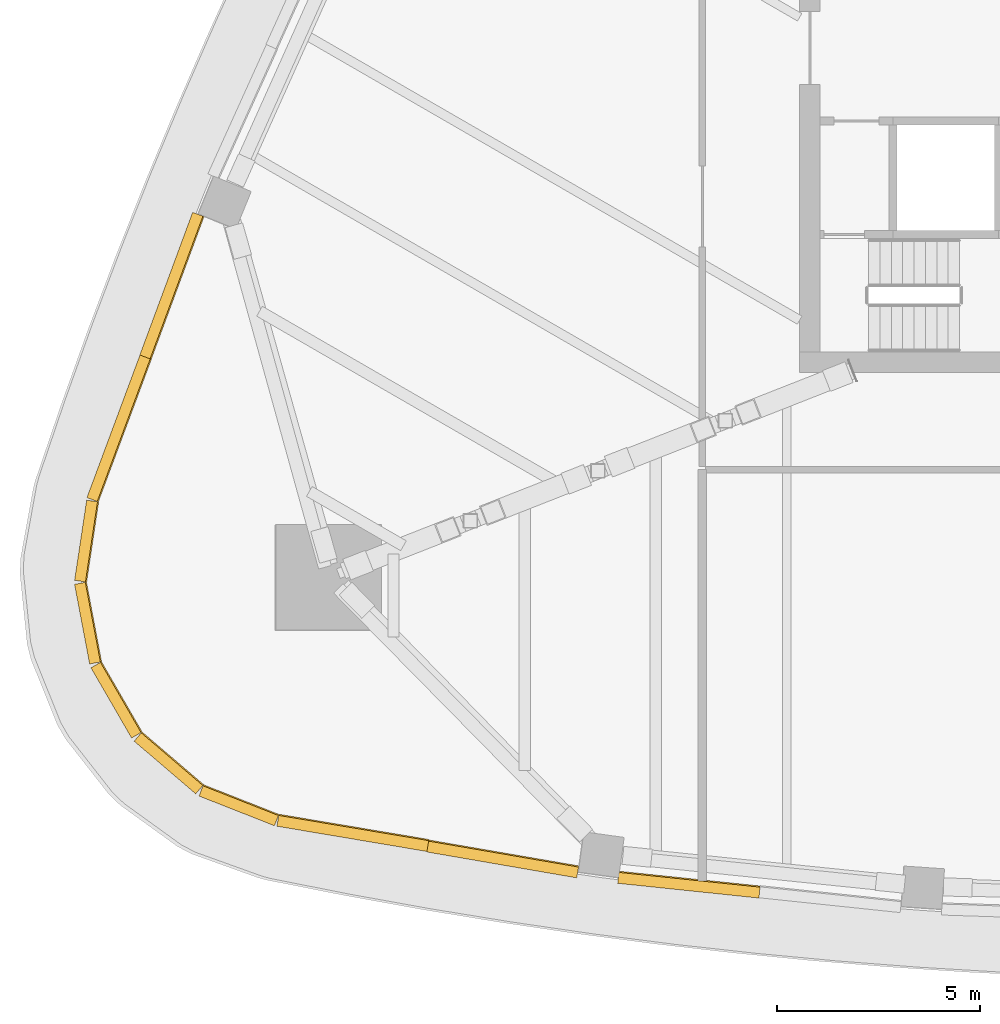
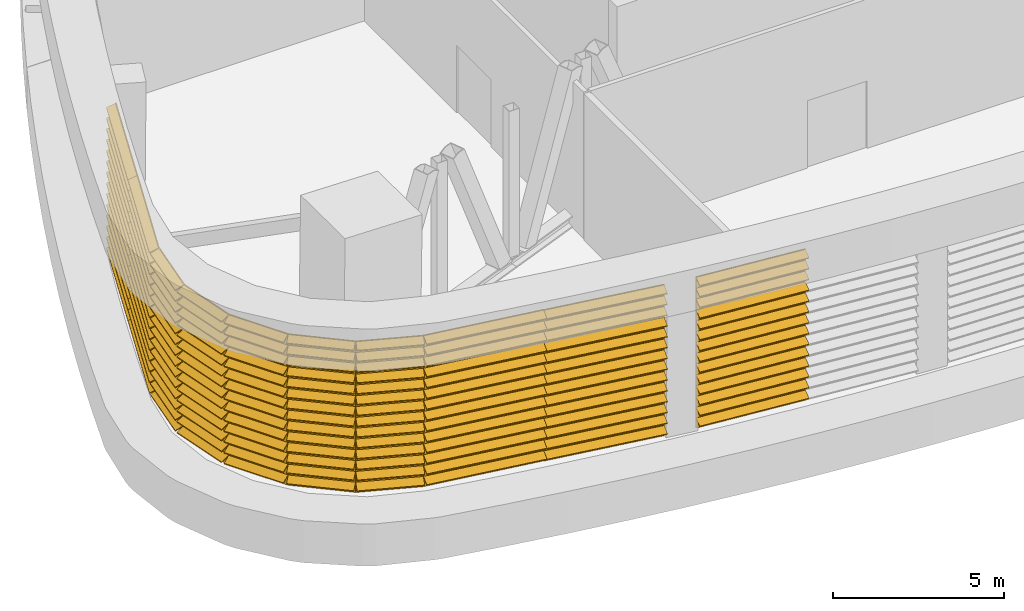
# One storey, part 11 of 18: 10 shading devices.
"""IFC4 building model written with IfcOpenShell, lengths in metres."""

from ifc_helpers import new_model, si_unit, direction, frame, origin, place, context, subcontext, project, spatial, polyline, outline, extrude, material, type_object, element, save


model = new_model("IFC4")

# Units and contexts
model_context = context("Model", 3, precision=1e-05, world=origin(), true_north=direction((0.0, 1.0)))
body_context = subcontext(model_context, "Body", "Model", "MODEL_VIEW")
ifc_project = project(units=[si_unit("LENGTHUNIT", "METRE"), si_unit("AREAUNIT", "SQUARE_METRE"), si_unit("VOLUMEUNIT", "CUBIC_METRE"), si_unit("PLANEANGLEUNIT", "RADIAN"), si_unit("MASSUNIT", "GRAM", prefix="KILO")], contexts=[model_context])

# Site, building, storey
site_placement = place(None, origin())
site = spatial("IfcSite", under=ifc_project, at=site_placement, CompositionType="ELEMENT")
building_placement = place(site_placement, origin())
building = spatial("IfcBuilding", under=site, at=building_placement, Name="Sierra Prisma Convention Tower", CompositionType="ELEMENT")
storey_placement = place(building_placement, frame((0.0, 0.0, 213.800048828125)))
storey = spatial("IfcBuildingStorey", under=building, at=storey_placement, Name="L48", CompositionType="ELEMENT", Elevation=213.800048828125)

# Shading devices
ifc_material = material(Name="Aluminium 6063-T6 bronze anodised", Category="aluminium")
shading_device_type = type_object("IfcShadingDeviceType", Name="Louvre bay bronze", PredefinedType="USERDEFINED", material=ifc_material)
shading_device_1_placement = place(storey_placement, frame((-23.8330078125, -18.890625, 0.0), z_axis=(-0.986139434355, 0.165918703017, 0.0), x_axis=(0.0, 0.0, 1.0)))
element("IfcShadingDevice", 1, at=shading_device_1_placement, inside=storey, type_object=shading_device_type, Name="Louvre L48 S1.1", ObjectType="LOUVRE", PredefinedType="USERDEFINED", context=body_context, shape_type="SweptSolid", body=[
    extrude(outline(polyline([(0.0, 0.0), (5.39990234375, 0.0), (5.39990234375, -0.029941710355772314), (5.3798828125, -0.029941710355772314), (5.260009765625, -0.29998192022239306), (5.22998046875, -0.29998192022239306), (5.349853515625, -0.029941710355772314), (5.01416015625, -0.029941710355772314), (4.994140625, -0.029941710355772314), (4.874267578125, -0.29998192022239306), (4.84423828125, -0.29998192022239306), (4.96435546875, -0.029941710355772314), (4.62841796875, -0.029941710355772314), (4.608642578125, -0.029941710355772314), (4.488525390625, -0.29998192022239306), (4.45849609375, -0.29998192022239306), (4.57861328125, -0.029941710355772314), (4.242919921875, -0.029941710355772314), (4.222900390625, -0.029941710355772314), (4.102783203125, -0.29998192022239306), (4.07275390625, -0.29998192022239306), (4.19287109375, -0.029941710355772314), (3.857177734375, -0.029941710355772314), (3.837158203125, -0.029941710355772314), (3.717041015625, -0.29998192022239306), (3.68701171875, -0.29998192022239306), (3.80712890625, -0.029941710355772314), (3.471435546875, -0.029941710355772314), (3.451416015625, -0.029941710355772314), (3.331298828125, -0.29998192022239306), (3.30126953125, -0.29998192022239306), (3.42138671875, -0.029941710355772314), (3.085693359375, -0.029941710355772314), (3.065673828125, -0.029941710355772314), (2.945556640625, -0.29998192022239306), (2.915771484375, -0.29998192022239306), (3.03564453125, -0.029941710355772314), (2.699951171875, -0.029941710355772314), (2.679931640625, -0.029941710355772314), (2.56005859375, -0.29998192022239306), (2.530029296875, -0.29998192022239306), (2.64990234375, -0.029941710355772314), (2.314208984375, -0.029941710355772314), (2.294189453125, -0.029941710355772314), (2.17431640625, -0.29998192022239306), (2.144287109375, -0.29998192022239306), (2.26416015625, -0.029941710355772314), (1.928466796875, -0.029941710355772314), (1.908447265625, -0.029941710355772314), (1.78857421875, -0.29998192022239306), (1.758544921875, -0.29998192022239306), (1.87841796875, -0.029941710355772314), (1.542724609375, -0.029941710355772314), (1.522705078125, -0.029941710355772314), (1.40283203125, -0.29998192022239306), (1.372802734375, -0.29998192022239306), (1.492919921875, -0.029941710355772314), (1.156982421875, -0.029941710355772314), (1.13720703125, -0.029941710355772314), (1.01708984375, -0.29998192022239306), (0.987060546875, -0.29998192022239306), (1.107177734375, -0.029941710355772314), (0.771484375, -0.029941710355772314), (0.75146484375, -0.029941710355772314), (0.63134765625, -0.29998192022239306), (0.601318359375, -0.29998192022239306), (0.721435546875, -0.029941710355772314), (0.3857421875, -0.029941710355772314), (0.36572265625, -0.029941710355772314), (0.24560546875, -0.29998192022239306), (0.215576171875, -0.29998192022239306), (0.335693359375, -0.029941710355772314), (0.0, -0.029941710355772314), (0.0, 0.0)])), origin(), (0.0, 0.0, -1.0), 3.7490234375),
])
shading_device_2_placement = place(storey_placement, frame((-20.137939453125, -19.52490234375, 0.0), z_axis=(-0.985407546539, 0.170211536693, 0.0), x_axis=(0.0, 0.0, 1.0)))
element("IfcShadingDevice", 2, at=shading_device_2_placement, inside=storey, type_object=shading_device_type, Name="Louvre L48 S1.2", ObjectType="LOUVRE", PredefinedType="USERDEFINED", context=body_context, shape_type="SweptSolid", body=[
    extrude(outline(polyline([(0.0, 0.0), (5.39990234375, 0.0), (5.39990234375, -0.029982606299269673), (5.3798828125, -0.029982606299269673), (5.260009765625, -0.2999835299050878), (5.22998046875, -0.2999835299050878), (5.349853515625, -0.029982606299269673), (5.01416015625, -0.029982606299269673), (4.994140625, -0.029982606299269673), (4.874267578125, -0.2999835299050878), (4.84423828125, -0.2999835299050878), (4.96435546875, -0.029982606299269673), (4.62841796875, -0.029982606299269673), (4.608642578125, -0.029982606299269673), (4.488525390625, -0.2999835299050878), (4.45849609375, -0.2999835299050878), (4.57861328125, -0.029982606299269673), (4.242919921875, -0.029982606299269673), (4.222900390625, -0.029982606299269673), (4.102783203125, -0.2999835299050878), (4.07275390625, -0.2999835299050878), (4.19287109375, -0.029982606299269673), (3.857177734375, -0.029982606299269673), (3.837158203125, -0.029982606299269673), (3.717041015625, -0.2999835299050878), (3.68701171875, -0.2999835299050878), (3.80712890625, -0.029982606299269673), (3.471435546875, -0.029982606299269673), (3.451416015625, -0.029982606299269673), (3.331298828125, -0.2999835299050878), (3.30126953125, -0.2999835299050878), (3.42138671875, -0.029982606299269673), (3.085693359375, -0.029982606299269673), (3.065673828125, -0.029982606299269673), (2.945556640625, -0.2999835299050878), (2.915771484375, -0.2999835299050878), (3.03564453125, -0.029982606299269673), (2.699951171875, -0.029982606299269673), (2.679931640625, -0.029982606299269673), (2.56005859375, -0.2999835299050878), (2.530029296875, -0.2999835299050878), (2.64990234375, -0.029982606299269673), (2.314208984375, -0.029982606299269673), (2.294189453125, -0.029982606299269673), (2.17431640625, -0.2999835299050878), (2.144287109375, -0.2999835299050878), (2.26416015625, -0.029982606299269673), (1.928466796875, -0.029982606299269673), (1.908447265625, -0.029982606299269673), (1.78857421875, -0.2999835299050878), (1.758544921875, -0.2999835299050878), (1.87841796875, -0.029982606299269673), (1.542724609375, -0.029982606299269673), (1.522705078125, -0.029982606299269673), (1.40283203125, -0.2999835299050878), (1.372802734375, -0.2999835299050878), (1.492919921875, -0.029982606299269673), (1.156982421875, -0.029982606299269673), (1.13720703125, -0.029982606299269673), (1.01708984375, -0.2999835299050878), (0.987060546875, -0.2999835299050878), (1.107177734375, -0.029982606299269673), (0.771484375, -0.029982606299269673), (0.75146484375, -0.029982606299269673), (0.63134765625, -0.2999835299050878), (0.601318359375, -0.2999835299050878), (0.721435546875, -0.029982606299269673), (0.3857421875, -0.029982606299269673), (0.36572265625, -0.029982606299269673), (0.24560546875, -0.2999835299050878), (0.215576171875, -0.2999835299050878), (0.335693359375, -0.029982606299269673), (0.0, -0.029982606299269673), (0.0, 0.0)])), origin(), (0.0, 0.0, -1.0), 3.7490234375),
])
shading_device_3_placement = place(storey_placement, frame((-15.45263671875, -20.294677734375, 0.0), z_axis=(-0.994573523302, 0.104036083869, 0.0), x_axis=(0.0, 0.0, 1.0)))
element("IfcShadingDevice", 3, at=shading_device_3_placement, inside=storey, type_object=shading_device_type, Name="Louvre L48 S2.1", ObjectType="LOUVRE", PredefinedType="USERDEFINED", context=body_context, shape_type="SweptSolid", body=[
    extrude(outline(polyline([(0.0, 0.0), (5.39990234375, 0.0), (5.39990234375, -0.029953720442659124), (5.3798828125, -0.029953720442659124), (5.260009765625, -0.299895838857074), (5.22998046875, -0.299895838857074), (5.349853515625, -0.029953720442659124), (5.01416015625, -0.029953720442659124), (4.994140625, -0.029953720442659124), (4.874267578125, -0.299895838857074), (4.84423828125, -0.299895838857074), (4.96435546875, -0.029953720442659124), (4.62841796875, -0.029953720442659124), (4.608642578125, -0.029953720442659124), (4.488525390625, -0.299895838857074), (4.45849609375, -0.299895838857074), (4.57861328125, -0.029953720442659124), (4.242919921875, -0.029953720442659124), (4.222900390625, -0.029953720442659124), (4.102783203125, -0.299895838857074), (4.07275390625, -0.299895838857074), (4.19287109375, -0.029953720442659124), (3.857177734375, -0.029953720442659124), (3.837158203125, -0.029953720442659124), (3.717041015625, -0.299895838857074), (3.68701171875, -0.299895838857074), (3.80712890625, -0.029953720442659124), (3.471435546875, -0.029953720442659124), (3.451416015625, -0.029953720442659124), (3.331298828125, -0.299895838857074), (3.30126953125, -0.299895838857074), (3.42138671875, -0.029953720442659124), (3.085693359375, -0.029953720442659124), (3.065673828125, -0.029953720442659124), (2.945556640625, -0.299895838857074), (2.915771484375, -0.299895838857074), (3.03564453125, -0.029953720442659124), (2.699951171875, -0.029953720442659124), (2.679931640625, -0.029953720442659124), (2.56005859375, -0.299895838857074), (2.530029296875, -0.299895838857074), (2.64990234375, -0.029953720442659124), (2.314208984375, -0.029953720442659124), (2.294189453125, -0.029953720442659124), (2.17431640625, -0.299895838857074), (2.144287109375, -0.299895838857074), (2.26416015625, -0.029953720442659124), (1.928466796875, -0.029953720442659124), (1.908447265625, -0.029953720442659124), (1.78857421875, -0.299895838857074), (1.758544921875, -0.299895838857074), (1.87841796875, -0.029953720442659124), (1.542724609375, -0.029953720442659124), (1.522705078125, -0.029953720442659124), (1.40283203125, -0.299895838857074), (1.372802734375, -0.299895838857074), (1.492919921875, -0.029953720442659124), (1.156982421875, -0.029953720442659124), (1.13720703125, -0.029953720442659124), (1.01708984375, -0.299895838857074), (0.987060546875, -0.299895838857074), (1.107177734375, -0.029953720442659124), (0.771484375, -0.029953720442659124), (0.75146484375, -0.029953720442659124), (0.63134765625, -0.299895838857074), (0.601318359375, -0.299895838857074), (0.721435546875, -0.029953720442659124), (0.3857421875, -0.029953720442659124), (0.36572265625, -0.029953720442659124), (0.24560546875, -0.299895838857074), (0.215576171875, -0.299895838857074), (0.335693359375, -0.029953720442659124), (0.0, -0.029953720442659124), (0.0, 0.0)])), origin(), (0.0, 0.0, -1.0), 3.4990234375),
])
shading_device_4_placement = place(storey_placement, frame((-25.6796875, -4.160400390625, 0.0), z_axis=(0.347119304234, 0.937820978987, 0.0), x_axis=(0.0, 0.0, 1.0)))
element("IfcShadingDevice", 4, at=shading_device_4_placement, inside=storey, type_object=shading_device_type, Name="Louvre L48 NW6.1", ObjectType="LOUVRE", PredefinedType="USERDEFINED", context=body_context, shape_type="SweptSolid", body=[
    extrude(outline(polyline([(0.0, 0.0), (5.39990234375, 0.0), (5.39990234375, -0.030203457921033218), (5.3798828125, -0.030203457921033218), (5.260009765625, -0.30009287411515523), (5.22998046875, -0.30009287411515523), (5.349853515625, -0.030203457921033218), (5.01416015625, -0.030203457921033218), (4.994140625, -0.030203457921033218), (4.874267578125, -0.30009287411515523), (4.84423828125, -0.30009287411515523), (4.96435546875, -0.030203457921033218), (4.62841796875, -0.030203457921033218), (4.608642578125, -0.030203457921033218), (4.488525390625, -0.30009287411515523), (4.45849609375, -0.30009287411515523), (4.57861328125, -0.030203457921033218), (4.242919921875, -0.030203457921033218), (4.222900390625, -0.030203457921033218), (4.102783203125, -0.30009287411515523), (4.07275390625, -0.30009287411515523), (4.19287109375, -0.030203457921033218), (3.857177734375, -0.030203457921033218), (3.837158203125, -0.030203457921033218), (3.717041015625, -0.30009287411515523), (3.68701171875, -0.30009287411515523), (3.80712890625, -0.030203457921033218), (3.471435546875, -0.030203457921033218), (3.451416015625, -0.030203457921033218), (3.331298828125, -0.30009287411515523), (3.30126953125, -0.30009287411515523), (3.42138671875, -0.030203457921033218), (3.085693359375, -0.030203457921033218), (3.065673828125, -0.030203457921033218), (2.945556640625, -0.30009287411515523), (2.915771484375, -0.30009287411515523), (3.03564453125, -0.030203457921033218), (2.699951171875, -0.030203457921033218), (2.679931640625, -0.030203457921033218), (2.56005859375, -0.30009287411515523), (2.530029296875, -0.30009287411515523), (2.64990234375, -0.030203457921033218), (2.314208984375, -0.030203457921033218), (2.294189453125, -0.030203457921033218), (2.17431640625, -0.30009287411515523), (2.144287109375, -0.30009287411515523), (2.26416015625, -0.030203457921033218), (1.928466796875, -0.030203457921033218), (1.908447265625, -0.030203457921033218), (1.78857421875, -0.30009287411515523), (1.758544921875, -0.30009287411515523), (1.87841796875, -0.030203457921033218), (1.542724609375, -0.030203457921033218), (1.522705078125, -0.030203457921033218), (1.40283203125, -0.30009287411515523), (1.372802734375, -0.30009287411515523), (1.492919921875, -0.030203457921033218), (1.156982421875, -0.030203457921033218), (1.13720703125, -0.030203457921033218), (1.01708984375, -0.30009287411515523), (0.987060546875, -0.30009287411515523), (1.107177734375, -0.030203457921033218), (0.771484375, -0.030203457921033218), (0.75146484375, -0.030203457921033218), (0.63134765625, -0.30009287411515523), (0.601318359375, -0.30009287411515523), (0.721435546875, -0.030203457921033218), (0.3857421875, -0.030203457921033218), (0.36572265625, -0.030203457921033218), (0.24560546875, -0.30009287411515523), (0.215576171875, -0.30009287411515523), (0.335693359375, -0.030203457921033218), (0.0, -0.030203457921033218), (0.0, 0.0)])), origin(), (0.0, 0.0, -1.0), 3.7490234375),
])
shading_device_5_placement = place(storey_placement, frame((-26.97802734375, -7.677490234375, 0.0), z_axis=(0.348556423365, 0.937287799841, 0.0), x_axis=(0.0, 0.0, 1.0)))
element("IfcShadingDevice", 5, at=shading_device_5_placement, inside=storey, type_object=shading_device_type, Name="Louvre L48 NW6.2", ObjectType="LOUVRE", PredefinedType="USERDEFINED", context=body_context, shape_type="SweptSolid", body=[
    extrude(outline(polyline([(0.0, 0.0), (5.39990234375, 0.0), (5.39990234375, -0.029974615035747887), (5.3798828125, -0.029974615035747887), (5.260009765625, -0.3000922533130603), (5.22998046875, -0.3000922533130603), (5.349853515625, -0.029974615035747887), (5.01416015625, -0.029974615035747887), (4.994140625, -0.029974615035747887), (4.874267578125, -0.3000922533130603), (4.84423828125, -0.3000922533130603), (4.96435546875, -0.029974615035747887), (4.62841796875, -0.029974615035747887), (4.608642578125, -0.029974615035747887), (4.488525390625, -0.3000922533130603), (4.45849609375, -0.3000922533130603), (4.57861328125, -0.029974615035747887), (4.242919921875, -0.029974615035747887), (4.222900390625, -0.029974615035747887), (4.102783203125, -0.3000922533130603), (4.07275390625, -0.3000922533130603), (4.19287109375, -0.029974615035747887), (3.857177734375, -0.029974615035747887), (3.837158203125, -0.029974615035747887), (3.717041015625, -0.3000922533130603), (3.68701171875, -0.3000922533130603), (3.80712890625, -0.029974615035747887), (3.471435546875, -0.029974615035747887), (3.451416015625, -0.029974615035747887), (3.331298828125, -0.3000922533130603), (3.30126953125, -0.3000922533130603), (3.42138671875, -0.029974615035747887), (3.085693359375, -0.029974615035747887), (3.065673828125, -0.029974615035747887), (2.945556640625, -0.3000922533130603), (2.915771484375, -0.3000922533130603), (3.03564453125, -0.029974615035747887), (2.699951171875, -0.029974615035747887), (2.679931640625, -0.029974615035747887), (2.56005859375, -0.3000922533130603), (2.530029296875, -0.3000922533130603), (2.64990234375, -0.029974615035747887), (2.314208984375, -0.029974615035747887), (2.294189453125, -0.029974615035747887), (2.17431640625, -0.3000922533130603), (2.144287109375, -0.3000922533130603), (2.26416015625, -0.029974615035747887), (1.928466796875, -0.029974615035747887), (1.908447265625, -0.029974615035747887), (1.78857421875, -0.3000922533130603), (1.758544921875, -0.3000922533130603), (1.87841796875, -0.029974615035747887), (1.542724609375, -0.029974615035747887), (1.522705078125, -0.029974615035747887), (1.40283203125, -0.3000922533130603), (1.372802734375, -0.3000922533130603), (1.492919921875, -0.029974615035747887), (1.156982421875, -0.029974615035747887), (1.13720703125, -0.029974615035747887), (1.01708984375, -0.3000922533130603), (0.987060546875, -0.3000922533130603), (1.107177734375, -0.029974615035747887), (0.771484375, -0.029974615035747887), (0.75146484375, -0.029974615035747887), (0.63134765625, -0.3000922533130603), (0.601318359375, -0.3000922533130603), (0.721435546875, -0.029974615035747887), (0.3857421875, -0.029974615035747887), (0.36572265625, -0.029974615035747887), (0.24560546875, -0.3000922533130603), (0.215576171875, -0.3000922533130603), (0.335693359375, -0.029974615035747887), (0.0, -0.029974615035747887), (0.0, 0.0)])), origin(), (0.0, 0.0, -1.0), 3.7490234375),
])
shading_device_6_placement = place(storey_placement, frame((-28.2763671875, -11.194580078125, 0.0), z_axis=(0.148750018985, 0.988874831236, 0.0), x_axis=(0.0, 0.0, 1.0)))
element("IfcShadingDevice", 6, at=shading_device_6_placement, inside=storey, type_object=shading_device_type, Name="Louvre L48 SW1.1", ObjectType="LOUVRE", PredefinedType="USERDEFINED", context=body_context, shape_type="SweptSolid", body=[
    extrude(outline(polyline([(0.0, 0.0), (5.39990234375, 0.0), (5.39990234375, -0.029866053447578634), (5.3798828125, -0.029866053447578634), (5.260009765625, -0.29980781216618363), (5.22998046875, -0.29980781216618363), (5.349853515625, -0.029866053447578634), (5.01416015625, -0.029866053447578634), (4.994140625, -0.029866053447578634), (4.874267578125, -0.29980781216618363), (4.84423828125, -0.29980781216618363), (4.96435546875, -0.029866053447578634), (4.62841796875, -0.029866053447578634), (4.608642578125, -0.029866053447578634), (4.488525390625, -0.29980781216618363), (4.45849609375, -0.29980781216618363), (4.57861328125, -0.029866053447578634), (4.242919921875, -0.029866053447578634), (4.222900390625, -0.029866053447578634), (4.102783203125, -0.29980781216618363), (4.07275390625, -0.29980781216618363), (4.19287109375, -0.029866053447578634), (3.857177734375, -0.029866053447578634), (3.837158203125, -0.029866053447578634), (3.717041015625, -0.29980781216618363), (3.68701171875, -0.29980781216618363), (3.80712890625, -0.029866053447578634), (3.471435546875, -0.029866053447578634), (3.451416015625, -0.029866053447578634), (3.331298828125, -0.29980781216618363), (3.30126953125, -0.29980781216618363), (3.42138671875, -0.029866053447578634), (3.085693359375, -0.029866053447578634), (3.065673828125, -0.029866053447578634), (2.945556640625, -0.29980781216618363), (2.915771484375, -0.29980781216618363), (3.03564453125, -0.029866053447578634), (2.699951171875, -0.029866053447578634), (2.679931640625, -0.029866053447578634), (2.56005859375, -0.29980781216618363), (2.530029296875, -0.29980781216618363), (2.64990234375, -0.029866053447578634), (2.314208984375, -0.029866053447578634), (2.294189453125, -0.029866053447578634), (2.17431640625, -0.29980781216618363), (2.144287109375, -0.29980781216618363), (2.26416015625, -0.029866053447578634), (1.928466796875, -0.029866053447578634), (1.908447265625, -0.029866053447578634), (1.78857421875, -0.29980781216618363), (1.758544921875, -0.29980781216618363), (1.87841796875, -0.029866053447578634), (1.542724609375, -0.029866053447578634), (1.522705078125, -0.029866053447578634), (1.40283203125, -0.29980781216618363), (1.372802734375, -0.29980781216618363), (1.492919921875, -0.029866053447578634), (1.156982421875, -0.029866053447578634), (1.13720703125, -0.029866053447578634), (1.01708984375, -0.29980781216618363), (0.987060546875, -0.29980781216618363), (1.107177734375, -0.029866053447578634), (0.771484375, -0.029866053447578634), (0.75146484375, -0.029866053447578634), (0.63134765625, -0.29980781216618363), (0.601318359375, -0.29980781216618363), (0.721435546875, -0.029866053447578634), (0.3857421875, -0.029866053447578634), (0.36572265625, -0.029866053447578634), (0.24560546875, -0.29980781216618363), (0.215576171875, -0.29980781216618363), (0.335693359375, -0.029866053447578634), (0.0, -0.029866053447578634), (0.0, 0.0)])), origin(), (0.0, 0.0, -1.0), 1.997314453125),
])
shading_device_7_placement = place(storey_placement, frame((-28.57666015625, -13.169189453125, 0.0), z_axis=(-0.186225733971, 0.98250698522, 0.0), x_axis=(0.0, 0.0, 1.0)))
element("IfcShadingDevice", 7, at=shading_device_7_placement, inside=storey, type_object=shading_device_type, Name="Louvre L48 SW2.1", ObjectType="LOUVRE", PredefinedType="USERDEFINED", context=body_context, shape_type="SweptSolid", body=[
    extrude(outline(polyline([(0.0, 0.0), (5.39990234375, 0.0), (5.39990234375, -0.0300699553449723), (5.3798828125, -0.0300699553449723), (5.260009765625, -0.2998890133072416), (5.22998046875, -0.2998890133072416), (5.349853515625, -0.0300699553449723), (5.01416015625, -0.0300699553449723), (4.994140625, -0.0300699553449723), (4.874267578125, -0.2998890133072416), (4.84423828125, -0.2998890133072416), (4.96435546875, -0.0300699553449723), (4.62841796875, -0.0300699553449723), (4.608642578125, -0.0300699553449723), (4.488525390625, -0.2998890133072416), (4.45849609375, -0.2998890133072416), (4.57861328125, -0.0300699553449723), (4.242919921875, -0.0300699553449723), (4.222900390625, -0.0300699553449723), (4.102783203125, -0.2998890133072416), (4.07275390625, -0.2998890133072416), (4.19287109375, -0.0300699553449723), (3.857177734375, -0.0300699553449723), (3.837158203125, -0.0300699553449723), (3.717041015625, -0.2998890133072416), (3.68701171875, -0.2998890133072416), (3.80712890625, -0.0300699553449723), (3.471435546875, -0.0300699553449723), (3.451416015625, -0.0300699553449723), (3.331298828125, -0.2998890133072416), (3.30126953125, -0.2998890133072416), (3.42138671875, -0.0300699553449723), (3.085693359375, -0.0300699553449723), (3.065673828125, -0.0300699553449723), (2.945556640625, -0.2998890133072416), (2.915771484375, -0.2998890133072416), (3.03564453125, -0.0300699553449723), (2.699951171875, -0.0300699553449723), (2.679931640625, -0.0300699553449723), (2.56005859375, -0.2998890133072416), (2.530029296875, -0.2998890133072416), (2.64990234375, -0.0300699553449723), (2.314208984375, -0.0300699553449723), (2.294189453125, -0.0300699553449723), (2.17431640625, -0.2998890133072416), (2.144287109375, -0.2998890133072416), (2.26416015625, -0.0300699553449723), (1.928466796875, -0.0300699553449723), (1.908447265625, -0.0300699553449723), (1.78857421875, -0.2998890133072416), (1.758544921875, -0.2998890133072416), (1.87841796875, -0.0300699553449723), (1.542724609375, -0.0300699553449723), (1.522705078125, -0.0300699553449723), (1.40283203125, -0.2998890133072416), (1.372802734375, -0.2998890133072416), (1.492919921875, -0.0300699553449723), (1.156982421875, -0.0300699553449723), (1.13720703125, -0.0300699553449723), (1.01708984375, -0.2998890133072416), (0.987060546875, -0.2998890133072416), (1.107177734375, -0.0300699553449723), (0.771484375, -0.0300699553449723), (0.75146484375, -0.0300699553449723), (0.63134765625, -0.2998890133072416), (0.601318359375, -0.2998890133072416), (0.721435546875, -0.0300699553449723), (0.3857421875, -0.0300699553449723), (0.36572265625, -0.0300699553449723), (0.24560546875, -0.2998890133072416), (0.215576171875, -0.2998890133072416), (0.335693359375, -0.0300699553449723), (0.0, -0.0300699553449723), (0.0, 0.0)])), origin(), (0.0, 0.0, -1.0), 1.997314453125),
])
shading_device_8_placement = place(storey_placement, frame((-28.20654296875, -15.1318359375, 0.0), z_axis=(-0.500770944788, 0.865579840833, 0.0), x_axis=(0.0, 0.0, 1.0)))
element("IfcShadingDevice", 8, at=shading_device_8_placement, inside=storey, type_object=shading_device_type, Name="Louvre L48 SW3.1", ObjectType="LOUVRE", PredefinedType="USERDEFINED", context=body_context, shape_type="SweptSolid", body=[
    extrude(outline(polyline([(0.0, 0.0), (5.39990234375, 0.0), (5.39990234375, -0.030191611705557977), (5.3798828125, -0.030191611705557977), (5.260009765625, -0.3002482083817265), (5.22998046875, -0.3002482083817265), (5.349853515625, -0.030191611705557977), (5.01416015625, -0.030191611705557977), (4.994140625, -0.030191611705557977), (4.874267578125, -0.3002482083817265), (4.84423828125, -0.3002482083817265), (4.96435546875, -0.030191611705557977), (4.62841796875, -0.030191611705557977), (4.608642578125, -0.030191611705557977), (4.488525390625, -0.3002482083817265), (4.45849609375, -0.3002482083817265), (4.57861328125, -0.030191611705557977), (4.242919921875, -0.030191611705557977), (4.222900390625, -0.030191611705557977), (4.102783203125, -0.3002482083817265), (4.07275390625, -0.3002482083817265), (4.19287109375, -0.030191611705557977), (3.857177734375, -0.030191611705557977), (3.837158203125, -0.030191611705557977), (3.717041015625, -0.3002482083817265), (3.68701171875, -0.3002482083817265), (3.80712890625, -0.030191611705557977), (3.471435546875, -0.030191611705557977), (3.451416015625, -0.030191611705557977), (3.331298828125, -0.3002482083817265), (3.30126953125, -0.3002482083817265), (3.42138671875, -0.030191611705557977), (3.085693359375, -0.030191611705557977), (3.065673828125, -0.030191611705557977), (2.945556640625, -0.3002482083817265), (2.915771484375, -0.3002482083817265), (3.03564453125, -0.030191611705557977), (2.699951171875, -0.030191611705557977), (2.679931640625, -0.030191611705557977), (2.56005859375, -0.3002482083817265), (2.530029296875, -0.3002482083817265), (2.64990234375, -0.030191611705557977), (2.314208984375, -0.030191611705557977), (2.294189453125, -0.030191611705557977), (2.17431640625, -0.3002482083817265), (2.144287109375, -0.3002482083817265), (2.26416015625, -0.030191611705557977), (1.928466796875, -0.030191611705557977), (1.908447265625, -0.030191611705557977), (1.78857421875, -0.3002482083817265), (1.758544921875, -0.3002482083817265), (1.87841796875, -0.030191611705557977), (1.542724609375, -0.030191611705557977), (1.522705078125, -0.030191611705557977), (1.40283203125, -0.3002482083817265), (1.372802734375, -0.3002482083817265), (1.492919921875, -0.030191611705557977), (1.156982421875, -0.030191611705557977), (1.13720703125, -0.030191611705557977), (1.01708984375, -0.3002482083817265), (0.987060546875, -0.3002482083817265), (1.107177734375, -0.030191611705557977), (0.771484375, -0.030191611705557977), (0.75146484375, -0.030191611705557977), (0.63134765625, -0.3002482083817265), (0.601318359375, -0.3002482083817265), (0.721435546875, -0.030191611705557977), (0.3857421875, -0.030191611705557977), (0.36572265625, -0.030191611705557977), (0.24560546875, -0.3002482083817265), (0.215576171875, -0.3002482083817265), (0.335693359375, -0.030191611705557977), (0.0, -0.030191611705557977), (0.0, 0.0)])), origin(), (0.0, 0.0, -1.0), 1.997314453125),
])
shading_device_9_placement = place(storey_placement, frame((-27.2080078125, -16.861572265625, 0.0), z_axis=(-0.760106024005, 0.649799070692, 0.0), x_axis=(0.0, 0.0, 1.0)))
element("IfcShadingDevice", 9, at=shading_device_9_placement, inside=storey, type_object=shading_device_type, Name="Louvre L48 SW4.1", ObjectType="LOUVRE", PredefinedType="USERDEFINED", context=body_context, shape_type="SweptSolid", body=[
    extrude(outline(polyline([(0.0, 0.0), (5.39990234375, 0.0), (5.39990234375, -0.030135227517523414), (5.3798828125, -0.030135227517523414), (5.260009765625, -0.300026335448343), (5.22998046875, -0.300026335448343), (5.349853515625, -0.030135227517523414), (5.01416015625, -0.030135227517523414), (4.994140625, -0.030135227517523414), (4.874267578125, -0.300026335448343), (4.84423828125, -0.300026335448343), (4.96435546875, -0.030135227517523414), (4.62841796875, -0.030135227517523414), (4.608642578125, -0.030135227517523414), (4.488525390625, -0.300026335448343), (4.45849609375, -0.300026335448343), (4.57861328125, -0.030135227517523414), (4.242919921875, -0.030135227517523414), (4.222900390625, -0.030135227517523414), (4.102783203125, -0.300026335448343), (4.07275390625, -0.300026335448343), (4.19287109375, -0.030135227517523414), (3.857177734375, -0.030135227517523414), (3.837158203125, -0.030135227517523414), (3.717041015625, -0.300026335448343), (3.68701171875, -0.300026335448343), (3.80712890625, -0.030135227517523414), (3.471435546875, -0.030135227517523414), (3.451416015625, -0.030135227517523414), (3.331298828125, -0.300026335448343), (3.30126953125, -0.300026335448343), (3.42138671875, -0.030135227517523414), (3.085693359375, -0.030135227517523414), (3.065673828125, -0.030135227517523414), (2.945556640625, -0.300026335448343), (2.915771484375, -0.300026335448343), (3.03564453125, -0.030135227517523414), (2.699951171875, -0.030135227517523414), (2.679931640625, -0.030135227517523414), (2.56005859375, -0.300026335448343), (2.530029296875, -0.300026335448343), (2.64990234375, -0.030135227517523414), (2.314208984375, -0.030135227517523414), (2.294189453125, -0.030135227517523414), (2.17431640625, -0.300026335448343), (2.144287109375, -0.300026335448343), (2.26416015625, -0.030135227517523414), (1.928466796875, -0.030135227517523414), (1.908447265625, -0.030135227517523414), (1.78857421875, -0.300026335448343), (1.758544921875, -0.300026335448343), (1.87841796875, -0.030135227517523414), (1.542724609375, -0.030135227517523414), (1.522705078125, -0.030135227517523414), (1.40283203125, -0.300026335448343), (1.372802734375, -0.300026335448343), (1.492919921875, -0.030135227517523414), (1.156982421875, -0.030135227517523414), (1.13720703125, -0.030135227517523414), (1.01708984375, -0.300026335448343), (0.987060546875, -0.300026335448343), (1.107177734375, -0.030135227517523414), (0.771484375, -0.030135227517523414), (0.75146484375, -0.030135227517523414), (0.63134765625, -0.300026335448343), (0.601318359375, -0.300026335448343), (0.721435546875, -0.030135227517523414), (0.3857421875, -0.030135227517523414), (0.36572265625, -0.030135227517523414), (0.24560546875, -0.300026335448343), (0.215576171875, -0.300026335448343), (0.335693359375, -0.030135227517523414), (0.0, -0.030135227517523414), (0.0, 0.0)])), origin(), (0.0, 0.0, -1.0), 1.997314453125),
])
shading_device_10_placement = place(storey_placement, frame((-25.693115234375, -18.16357421875, 0.0), z_axis=(-0.930610308591, 0.366011548375, 0.0), x_axis=(0.0, 0.0, 1.0)))
element("IfcShadingDevice", 10, at=shading_device_10_placement, inside=storey, type_object=shading_device_type, Name="Louvre L48 SW5.1", ObjectType="LOUVRE", PredefinedType="USERDEFINED", context=body_context, shape_type="SweptSolid", body=[
    extrude(outline(polyline([(0.0, 0.0), (5.39990234375, 0.0), (5.39990234375, -0.029921898158268408), (5.3798828125, -0.029921898158268408), (5.260009765625, -0.29994906413581224), (5.22998046875, -0.29994906413581224), (5.349853515625, -0.029921898158268408), (5.01416015625, -0.029921898158268408), (4.994140625, -0.029921898158268408), (4.874267578125, -0.29994906413581224), (4.84423828125, -0.29994906413581224), (4.96435546875, -0.029921898158268408), (4.62841796875, -0.029921898158268408), (4.608642578125, -0.029921898158268408), (4.488525390625, -0.29994906413581224), (4.45849609375, -0.29994906413581224), (4.57861328125, -0.029921898158268408), (4.242919921875, -0.029921898158268408), (4.222900390625, -0.029921898158268408), (4.102783203125, -0.29994906413581224), (4.07275390625, -0.29994906413581224), (4.19287109375, -0.029921898158268408), (3.857177734375, -0.029921898158268408), (3.837158203125, -0.029921898158268408), (3.717041015625, -0.29994906413581224), (3.68701171875, -0.29994906413581224), (3.80712890625, -0.029921898158268408), (3.471435546875, -0.029921898158268408), (3.451416015625, -0.029921898158268408), (3.331298828125, -0.29994906413581224), (3.30126953125, -0.29994906413581224), (3.42138671875, -0.029921898158268408), (3.085693359375, -0.029921898158268408), (3.065673828125, -0.029921898158268408), (2.945556640625, -0.29994906413581224), (2.915771484375, -0.29994906413581224), (3.03564453125, -0.029921898158268408), (2.699951171875, -0.029921898158268408), (2.679931640625, -0.029921898158268408), (2.56005859375, -0.29994906413581224), (2.530029296875, -0.29994906413581224), (2.64990234375, -0.029921898158268408), (2.314208984375, -0.029921898158268408), (2.294189453125, -0.029921898158268408), (2.17431640625, -0.29994906413581224), (2.144287109375, -0.29994906413581224), (2.26416015625, -0.029921898158268408), (1.928466796875, -0.029921898158268408), (1.908447265625, -0.029921898158268408), (1.78857421875, -0.29994906413581224), (1.758544921875, -0.29994906413581224), (1.87841796875, -0.029921898158268408), (1.542724609375, -0.029921898158268408), (1.522705078125, -0.029921898158268408), (1.40283203125, -0.29994906413581224), (1.372802734375, -0.29994906413581224), (1.492919921875, -0.029921898158268408), (1.156982421875, -0.029921898158268408), (1.13720703125, -0.029921898158268408), (1.01708984375, -0.29994906413581224), (0.987060546875, -0.29994906413581224), (1.107177734375, -0.029921898158268408), (0.771484375, -0.029921898158268408), (0.75146484375, -0.029921898158268408), (0.63134765625, -0.29994906413581224), (0.601318359375, -0.29994906413581224), (0.721435546875, -0.029921898158268408), (0.3857421875, -0.029921898158268408), (0.36572265625, -0.029921898158268408), (0.24560546875, -0.29994906413581224), (0.215576171875, -0.29994906413581224), (0.335693359375, -0.029921898158268408), (0.0, -0.029921898158268408), (0.0, 0.0)])), origin(), (0.0, 0.0, -1.0), 1.997314453125),
])

save(model, "model.ifc")
